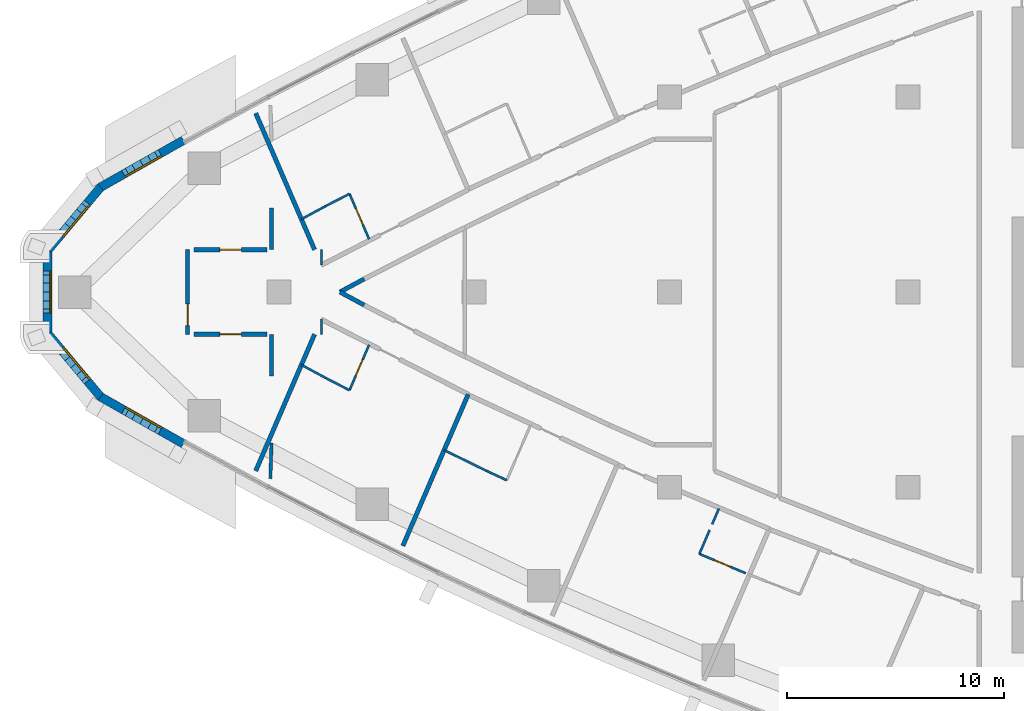
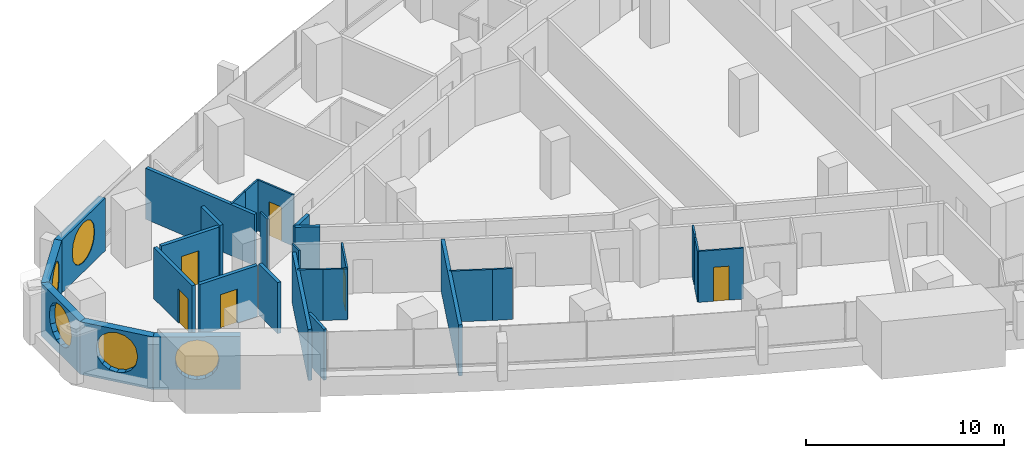
# One storey, part 8 of 17: 29 walls, 6 doors, 5 windows, 11 openings.
"""IFC4 building model written with IfcOpenShell, lengths in metres."""

from ifc_helpers import new_model, si_unit, direction, frame, frame_2d, origin, place, context, subcontext, project, spatial, polyline, rectangle, outline, extrude, material, layer, layer_set, type_object, element, fill, save


model = new_model("IFC4")

# Units and contexts
model_context = context("Model", 3, precision=1e-05, world=origin(), true_north=direction((0.0, 1.0)))
body_context = subcontext(model_context, "Body", "Model", "MODEL_VIEW")
ifc_project = project(units=[si_unit("LENGTHUNIT", "METRE"), si_unit("AREAUNIT", "SQUARE_METRE"), si_unit("VOLUMEUNIT", "CUBIC_METRE"), si_unit("PLANEANGLEUNIT", "RADIAN"), si_unit("MASSUNIT", "GRAM", prefix="KILO")], contexts=[model_context])

# Site, building, storey
site_placement = place(None, origin())
site = spatial("IfcSite", under=ifc_project, at=site_placement, CompositionType="ELEMENT")
building_placement = place(site_placement, origin())
building = spatial("IfcBuilding", under=site, at=building_placement, Name="Ostrand Prow Hotel Tower", CompositionType="ELEMENT")
storey_placement = place(building_placement, frame((0.0, 0.0, 162.14990234375)))
storey = spatial("IfcBuildingStorey", under=building, at=storey_placement, Name="L40", CompositionType="ELEMENT", Elevation=162.14990234375)

# Walls
ifc_material_1 = material(Name="Plasterboard partition")
ifc_layer_1 = layer(ifc_material_1, 0.10009765625)
ifc_layer_set_1 = layer_set([ifc_layer_1], Name="Plasterboard partition")
wall_type_1 = type_object("IfcWallType", Name="Partition 100 bathroom wall", PredefinedType="PARTITIONING", material=ifc_layer_set_1)
wall_1_placement = place(storey_placement, frame((17.03564453125, 3.3583984375, 0.0), z_axis=(0.0, 0.0, 1.0), x_axis=(0.879823588489, 0.475300382009, 0.0)))
element("IfcWall", 1, at=wall_1_placement, inside=storey, type_object=wall_type_1, Name="BATHROOM WALL", PredefinedType="PARTITIONING", context=body_context, shape_type="SweptSolid", body=[
    extrude(rectangle(XDim=1.27294921875, YDim=0.10009765625, at=frame_2d((0.636474609375, 0.0))), origin(), (0.0, 0.0, 1.0), 3.150146484375),
])
wall_2_placement = place(storey_placement, frame((18.155517578125, 3.96337890625, 0.0), z_axis=(0.0, 0.0, 1.0), x_axis=(0.889106231322, 0.457700895154, 0.0)))
element("IfcWall", 2, at=wall_2_placement, inside=storey, type_object=wall_type_1, Name="BATHROOM WALL", PredefinedType="PARTITIONING", context=body_context, shape_type="SweptSolid", body=[
    extrude(rectangle(XDim=1.23486328125, YDim=0.10009765625, at=frame_2d((0.617431640625, 0.0))), origin(), (0.0, 0.0, 1.0), 3.150146484375),
])

# Wall, opening, door
wall_3_placement = place(storey_placement, frame((19.253662109375, 4.528564453125, 0.0), z_axis=(0.0, 0.0, 1.0), x_axis=(0.395958457437, -0.9182684248, 0.0)))
wall_3 = element("IfcWall", 3, at=wall_3_placement, inside=storey, type_object=wall_type_1, Name="BATHROOM WALL", PredefinedType="PARTITIONING", context=body_context, shape_type="SweptSolid", body=[
    extrude(rectangle(XDim=2.281982421875, YDim=0.10009765625, at=frame_2d((1.14111328125, 0.0))), origin(), (0.0, 0.0, 1.0), 3.150146484375),
])
opening_1_placement = place(wall_3_placement, frame((0.75, 0.0, 0.0)))
opening_1 = element("IfcOpeningElement", 4, at=opening_1_placement, cuts=wall_3, Name="Opening D2", PredefinedType="OPENING", context=body_context, shape_type="SweptSolid", body=[
    extrude(rectangle(XDim=0.800048828125, YDim=2.10009765625, at=frame_2d((0.39990234375, 1.050048828125))), frame((0.0, 0.06005859375, 0.0), z_axis=(0.0, -1.0, 0.0), x_axis=(1.0, 0.0, 0.0)), (0.0, 0.0, 1.0), 0.1201171875),
])
ifc_material_2 = material(Name="Timber door leaf", Category="wood")
door_type_1 = type_object("IfcDoorType", Name="Bathroom door 800", OperationType="SINGLE_SWING_LEFT", PredefinedType="DOOR", material=ifc_material_2)
door_1_placement = place(opening_1_placement, origin())
door_1 = element("IfcDoor", 5, at=door_1_placement, inside=storey, type_object=door_type_1, Name="DOOR", OperationType="SINGLE_SWING_LEFT", OverallHeight=2.10009765625, OverallWidth=0.800048828125, PredefinedType="DOOR", context=body_context, shape_type="SweptSolid", body=[
    extrude(rectangle(XDim=0.800048828125, YDim=2.10009765625, at=frame_2d((0.39990234375, 1.050048828125))), frame((0.0, 0.02490234375, 0.0), z_axis=(0.0, -1.0, 0.0), x_axis=(1.0, 0.0, 0.0)), (0.0, 0.0, 1.0), 0.050048828125),
])
fill(opening_1, door_1)

wall_4_placement = place(storey_placement, frame((20.1572265625, -2.43310546875, 0.0), z_axis=(0.0, 0.0, 1.0), x_axis=(-0.395958457437, -0.9182684248, 0.0)))
wall_4 = element("IfcWall", 6, at=wall_4_placement, inside=storey, type_object=wall_type_1, Name="BATHROOM WALL", PredefinedType="PARTITIONING", context=body_context, shape_type="SweptSolid", body=[
    extrude(rectangle(XDim=2.281982421875, YDim=0.10009765625, at=frame_2d((1.14111328125, 0.0))), origin(), (0.0, 0.0, 1.0), 3.150146484375),
])
opening_2_placement = place(wall_4_placement, frame((0.75, 0.0, 0.0)))
opening_2 = element("IfcOpeningElement", 7, at=opening_2_placement, cuts=wall_4, Name="Opening D2", PredefinedType="OPENING", context=body_context, shape_type="SweptSolid", body=[
    extrude(rectangle(XDim=0.800048828125, YDim=2.10009765625, at=frame_2d((0.39990234375, 1.050048828125))), frame((0.0, 0.06005859375, 0.0), z_axis=(0.0, -1.0, 0.0), x_axis=(1.0, 0.0, 0.0)), (0.0, 0.0, 1.0), 0.1201171875),
])
door_2_placement = place(opening_2_placement, origin())
door_2 = element("IfcDoor", 8, at=door_2_placement, inside=storey, type_object=door_type_1, Name="DOOR", OperationType="SINGLE_SWING_LEFT", OverallHeight=2.10009765625, OverallWidth=0.800048828125, PredefinedType="DOOR", context=body_context, shape_type="SweptSolid", body=[
    extrude(rectangle(XDim=0.800048828125, YDim=2.10009765625, at=frame_2d((0.39990234375, 1.050048828125))), frame((0.0, 0.02490234375, 0.0), z_axis=(0.0, -1.0, 0.0), x_axis=(1.0, 0.0, 0.0)), (0.0, 0.0, 1.0), 0.050048828125),
])
fill(opening_2, door_2)

# Walls
wall_5_placement = place(storey_placement, frame((19.25341796875, -4.528564453125, 0.0), z_axis=(0.0, 0.0, 1.0), x_axis=(-0.889106231322, 0.457700895154, 0.0)))
element("IfcWall", 9, at=wall_5_placement, inside=storey, type_object=wall_type_1, Name="BATHROOM WALL", PredefinedType="PARTITIONING", context=body_context, shape_type="SweptSolid", body=[
    extrude(rectangle(XDim=1.23486328125, YDim=0.10009765625, at=frame_2d((0.617431640625, 0.0))), origin(), (0.0, 0.0, 1.0), 3.150146484375),
])
wall_6_placement = place(storey_placement, frame((18.155517578125, -3.96337890625, 0.0), z_axis=(0.0, 0.0, 1.0), x_axis=(-0.879823588489, 0.475300382009, 0.0)))
element("IfcWall", 10, at=wall_6_placement, inside=storey, type_object=wall_type_1, Name="BATHROOM WALL", PredefinedType="PARTITIONING", context=body_context, shape_type="SweptSolid", body=[
    extrude(rectangle(XDim=1.27294921875, YDim=0.10009765625, at=frame_2d((0.636474609375, 0.0))), origin(), (0.0, 0.0, 1.0), 3.150146484375),
])
wall_7_placement = place(storey_placement, frame((26.502685546875, -8.6787109375, 0.0), z_axis=(0.0, 0.0, 1.0), x_axis=(-0.906901476145, 0.421342749512, 0.0)))
element("IfcWall", 11, at=wall_7_placement, inside=storey, type_object=wall_type_1, Name="BATHROOM WALL", PredefinedType="PARTITIONING", context=body_context, shape_type="SweptSolid", body=[
    extrude(rectangle(XDim=1.022705078125, YDim=0.10009765625, at=frame_2d((0.51123046875, 0.0))), origin(), (0.0, 0.0, 1.0), 3.150146484375),
])
wall_8_placement = place(storey_placement, frame((25.5751953125, -8.247802734375, 0.0), z_axis=(0.0, 0.0, 1.0), x_axis=(-0.898158387811, 0.439672048696, 0.0)))
element("IfcWall", 12, at=wall_8_placement, inside=storey, type_object=wall_type_1, Name="BATHROOM WALL", PredefinedType="PARTITIONING", context=body_context, shape_type="SweptSolid", body=[
    extrude(rectangle(XDim=2.179931640625, YDim=0.10009765625, at=frame_2d((1.08984375, 0.0))), origin(), (0.0, 0.0, 1.0), 3.150146484375),
])
wall_9_placement = place(storey_placement, frame((35.384033203125, -12.07421875, 0.0), z_axis=(0.0, 0.0, 1.0), x_axis=(0.396057430794, 0.918225741043, 0.0)))
element("IfcWall", 13, at=wall_9_placement, inside=storey, type_object=wall_type_1, Name="BATHROOM WALL", PredefinedType="PARTITIONING", context=body_context, shape_type="SweptSolid", body=[
    extrude(rectangle(XDim=1.1982421875, YDim=0.10009765625, at=frame_2d((0.59912109375, 0.0))), origin(), (0.0, 0.0, 1.0), 3.150146484375),
])
wall_10_placement = place(storey_placement, frame((35.974853515625, -10.70458984375, 0.0), z_axis=(0.0, 0.0, 1.0), x_axis=(0.396019167007, 0.918242244379, 0.0)))
element("IfcWall", 14, at=wall_10_placement, inside=storey, type_object=wall_type_1, Name="BATHROOM WALL", PredefinedType="PARTITIONING", context=body_context, shape_type="SweptSolid", body=[
    extrude(rectangle(XDim=0.785400390625, YDim=0.10009765625, at=frame_2d((0.392578125, 0.0))), origin(), (0.0, 0.0, 1.0), 3.150146484375),
])

# Wall, opening, door
wall_11_placement = place(storey_placement, frame((37.51611328125, -12.962890625, 0.0), z_axis=(0.0, 0.0, 1.0), x_axis=(-0.923014363649, 0.384765492863, 0.0)))
wall_11 = element("IfcWall", 15, at=wall_11_placement, inside=storey, type_object=wall_type_1, Name="BATHROOM WALL", PredefinedType="PARTITIONING", context=body_context, shape_type="SweptSolid", body=[
    extrude(rectangle(XDim=2.3095703125, YDim=0.10009765625, at=frame_2d((1.15478515625, 0.0))), origin(), (0.0, 0.0, 1.0), 3.150146484375),
])
opening_3_placement = place(wall_11_placement, frame((0.75, 0.0, 0.0)))
opening_3 = element("IfcOpeningElement", 16, at=opening_3_placement, cuts=wall_11, Name="Opening D2", PredefinedType="OPENING", context=body_context, shape_type="SweptSolid", body=[
    extrude(rectangle(XDim=0.800048828125, YDim=2.10009765625, at=frame_2d((0.39990234375, 1.050048828125))), frame((0.0, 0.06005859375, 0.0), z_axis=(0.0, -1.0, 0.0), x_axis=(1.0, 0.0, 0.0)), (0.0, 0.0, 1.0), 0.1201171875),
])
door_3_placement = place(opening_3_placement, origin())
door_3 = element("IfcDoor", 17, at=door_3_placement, inside=storey, type_object=door_type_1, Name="DOOR", OperationType="SINGLE_SWING_LEFT", OverallHeight=2.10009765625, OverallWidth=0.800048828125, PredefinedType="DOOR", context=body_context, shape_type="SweptSolid", body=[
    extrude(rectangle(XDim=0.800048828125, YDim=2.10009765625, at=frame_2d((0.39990234375, 1.050048828125))), frame((0.0, 0.02490234375, 0.0), z_axis=(0.0, -1.0, 0.0), x_axis=(1.0, 0.0, 0.0)), (0.0, 0.0, 1.0), 0.050048828125),
])
fill(opening_3, door_3)

# Walls
for number, where, z_axis, x_axis, name in (
    (18, (17.959716796875, 1.248779296875, 0.0), (0.0, 0.0, 1.0), (-0.007291472831, 0.999973416859, 0.0), "BATHROOM WALL"),
    (19, (17.95458984375, -1.951904296875, 0.0), (0.0, 0.0, 1.0), (0.007291472831, 0.999973416859, 0.0), "BATHROOM WALL"),
):
    element("IfcWall", number, at=place(storey_placement, frame(where, z_axis=z_axis, x_axis=x_axis)), inside=storey, type_object=wall_type_1, Name=name, PredefinedType="PARTITIONING", context=body_context, shape_type="SweptSolid", body=[
        extrude(rectangle(XDim=0.703125, YDim=0.10009765625, at=frame_2d((0.3515625, 0.0))), origin(), (0.0, 0.0, 1.0), 3.150146484375),
    ])
ifc_material_3 = material(Name="Plasterboard partition")
ifc_layer_2 = layer(ifc_material_3, 0.14990234375)
ifc_layer_set_2 = layer_set([ifc_layer_2], Name="Plasterboard partition")
wall_type_2 = type_object("IfcWallType", Name="Partition 150 room partition", PredefinedType="PARTITIONING", material=ifc_layer_set_2)
wall_12_placement = place(storey_placement, frame((15.65869140625, -6.955078125, 0.0), z_axis=(0.0, 0.0, 1.0), x_axis=(-0.033196927484, -0.999448830109, 0.0)))
element("IfcWall", 20, at=wall_12_placement, inside=storey, type_object=wall_type_2, Name="ROOM PARTITION", PredefinedType="PARTITIONING", context=body_context, shape_type="SweptSolid", body=[
    extrude(rectangle(XDim=1.65478515625, YDim=0.14990234375, at=frame_2d((0.827392578125, 0.0))), origin(), (0.0, 0.0, 1.0), 3.150146484375),
])

# Wall, opening, door
ifc_material_4 = material(Name="Plasterboard partition")
ifc_layer_3 = layer(ifc_material_4, 0.199951171875)
ifc_layer_set_3 = layer_set([ifc_layer_3], Name="Plasterboard partition")
wall_type_3 = type_object("IfcWallType", Name="Partition 200 corridor wall", PredefinedType="PARTITIONING", material=ifc_layer_set_3)
wall_13_placement = place(storey_placement, frame((12.086669921875, 1.949951171875, 0.0), z_axis=(0.0, 0.0, 1.0), x_axis=(1.0, 0.0, 0.0)))
wall_13 = element("IfcWall", 21, at=wall_13_placement, inside=storey, type_object=wall_type_3, Name="CORRIDOR WALL", PredefinedType="PARTITIONING", context=body_context, shape_type="SweptSolid", body=[
    extrude(rectangle(XDim=3.3720703125, YDim=0.199951171875, at=frame_2d((1.68603515625, 0.0))), origin(), (0.0, 0.0, 1.0), 3.150146484375),
])
opening_4_placement = place(wall_13_placement, frame((1.18603515625, 0.0, 0.0)))
opening_4 = element("IfcOpeningElement", 22, at=opening_4_placement, cuts=wall_13, Name="Opening D1", PredefinedType="OPENING", context=body_context, shape_type="SweptSolid", body=[
    extrude(rectangle(XDim=1.0, YDim=2.10009765625, at=frame_2d((0.5, 1.050048828125))), frame((0.0, 0.10986328125, 0.0), z_axis=(0.0, -1.0, 0.0), x_axis=(1.0, 0.0, 0.0)), (0.0, 0.0, 1.0), 0.219970703125),
])
ifc_material_5 = material(Name="Timber door leaf", Category="wood")
door_type_2 = type_object("IfcDoorType", Name="Guest room door 1000", OperationType="SINGLE_SWING_LEFT", PredefinedType="DOOR", material=ifc_material_5)
door_4_placement = place(opening_4_placement, origin())
door_4 = element("IfcDoor", 23, at=door_4_placement, inside=storey, type_object=door_type_2, Name="DOOR", OperationType="SINGLE_SWING_LEFT", OverallHeight=2.10009765625, OverallWidth=1.0, PredefinedType="DOOR", context=body_context, shape_type="SweptSolid", body=[
    extrude(rectangle(XDim=1.0, YDim=2.10009765625, at=frame_2d((0.5, 1.050048828125))), frame((0.0, 0.02490234375, 0.0), z_axis=(0.0, -1.0, 0.0), x_axis=(1.0, 0.0, 0.0)), (0.0, 0.0, 1.0), 0.050048828125),
])
fill(opening_4, door_4)

wall_14_placement = place(storey_placement, frame((12.086669921875, -1.949951171875, 0.0), z_axis=(0.0, 0.0, 1.0), x_axis=(1.0, 0.0, 0.0)))
wall_14 = element("IfcWall", 24, at=wall_14_placement, inside=storey, type_object=wall_type_3, Name="CORRIDOR WALL", PredefinedType="PARTITIONING", context=body_context, shape_type="SweptSolid", body=[
    extrude(rectangle(XDim=3.3720703125, YDim=0.199951171875, at=frame_2d((1.68603515625, 0.0))), origin(), (0.0, 0.0, 1.0), 3.150146484375),
])
opening_5_placement = place(wall_14_placement, frame((1.18603515625, 0.0, 0.0)))
opening_5 = element("IfcOpeningElement", 25, at=opening_5_placement, cuts=wall_14, Name="Opening D1R", PredefinedType="OPENING", context=body_context, shape_type="SweptSolid", body=[
    extrude(rectangle(XDim=1.0, YDim=2.10009765625, at=frame_2d((0.5, 1.050048828125))), frame((0.0, 0.10986328125, 0.0), z_axis=(0.0, -1.0, 0.0), x_axis=(1.0, 0.0, 0.0)), (0.0, 0.0, 1.0), 0.219970703125),
])
ifc_material_6 = material(Name="Timber door leaf", Category="wood")
door_type_3 = type_object("IfcDoorType", Name="Guest room door 1000 right", OperationType="SINGLE_SWING_RIGHT", PredefinedType="DOOR", material=ifc_material_6)
door_5_placement = place(opening_5_placement, origin())
door_5 = element("IfcDoor", 26, at=door_5_placement, inside=storey, type_object=door_type_3, Name="DOOR", OperationType="SINGLE_SWING_RIGHT", OverallHeight=2.10009765625, OverallWidth=1.0, PredefinedType="DOOR", context=body_context, shape_type="SweptSolid", body=[
    extrude(rectangle(XDim=1.0, YDim=2.10009765625, at=frame_2d((0.5, 1.050048828125))), frame((0.0, 0.02490234375, 0.0), z_axis=(0.0, -1.0, 0.0), x_axis=(1.0, 0.0, 0.0)), (0.0, 0.0, 1.0), 0.050048828125),
])
fill(opening_5, door_5)

# Walls
for number, where, z_axis, x_axis, name in (
    (27, (19.928466796875, -0.60205078125, 0.0), (0.0, 0.0, 1.0), (-0.879832865766, 0.475283208538, 0.0), "CORRIDOR WALL"),
    (28, (18.81396484375, 0.0, 0.0), (0.0, 0.0, 1.0), (0.879832865766, 0.475283208538, 0.0), "CORRIDOR WALL"),
):
    element("IfcWall", number, at=place(storey_placement, frame(where, z_axis=z_axis, x_axis=x_axis)), inside=storey, type_object=wall_type_3, Name=name, PredefinedType="PARTITIONING", context=body_context, shape_type="SweptSolid", body=[
        extrude(rectangle(XDim=1.2666015625, YDim=0.199951171875, at=frame_2d((0.63330078125, 0.0))), origin(), (0.0, 0.0, 1.0), 3.150146484375),
    ])
wall_15_placement = place(storey_placement, frame((15.65869140625, 3.869384765625, 0.0), z_axis=(0.0, 0.0, 1.0), x_axis=(0.0, -1.0, 0.0)))
element("IfcWall", 29, at=wall_15_placement, inside=storey, type_object=wall_type_3, Name="CORRIDOR WALL", PredefinedType="PARTITIONING", context=body_context, shape_type="SweptSolid", body=[
    extrude(rectangle(XDim=1.914306640625, YDim=0.199951171875, at=frame_2d((0.95703125, 0.0))), origin(), (0.0, 0.0, 1.0), 3.150146484375),
])
wall_16_placement = place(storey_placement, frame((15.65869140625, -1.955078125, 0.0), z_axis=(0.0, 0.0, 1.0), x_axis=(0.0, -1.0, 0.0)))
element("IfcWall", 30, at=wall_16_placement, inside=storey, type_object=wall_type_3, Name="CORRIDOR WALL", PredefinedType="PARTITIONING", context=body_context, shape_type="SweptSolid", body=[
    extrude(rectangle(XDim=1.921630859375, YDim=0.199951171875, at=frame_2d((0.9609375, 0.0))), origin(), (0.0, 0.0, 1.0), 3.150146484375),
])
ifc_material_7 = material(Name="Plasterboard partition")
ifc_layer_4 = layer(ifc_material_7, 0.199951171875)
ifc_layer_set_4 = layer_set([ifc_layer_4], Name="Plasterboard partition")
wall_type_4 = type_object("IfcWallType", Name="Partition 200 key partition", PredefinedType="PARTITIONING", material=ifc_layer_set_4)
for number, where, z_axis, x_axis, name in (
    (31, (17.64306640625, 1.949951171875, 0.0), (0.0, 0.0, 1.0), (-0.395994543879, 0.918252863441, 0.0), "KEY PARTITION"),
    (32, (14.9287109375, -8.244140625, 0.0), (0.0, 0.0, 1.0), (0.395994543879, 0.918252863441, 0.0), "KEY PARTITION"),
):
    element("IfcWall", number, at=place(storey_placement, frame(where, z_axis=z_axis, x_axis=x_axis)), inside=storey, type_object=wall_type_4, Name=name, PredefinedType="PARTITIONING", context=body_context, shape_type="SweptSolid", body=[
        extrude(rectangle(XDim=6.8544921875, YDim=0.199951171875, at=frame_2d((3.42724609375, 0.0))), origin(), (0.0, 0.0, 1.0), 3.150146484375),
    ])
wall_17_placement = place(storey_placement, frame((21.714111328125, -11.701904296875, 0.0), z_axis=(0.0, 0.0, 1.0), x_axis=(0.395982367396, 0.918258114427, 0.0)))
element("IfcWall", 33, at=wall_17_placement, inside=storey, type_object=wall_type_4, Name="KEY PARTITION", PredefinedType="PARTITIONING", context=body_context, shape_type="SweptSolid", body=[
    extrude(rectangle(XDim=7.60888671875, YDim=0.199951171875, at=frame_2d((3.804443359375, 0.0))), origin(), (0.0, 0.0, 1.0), 3.150146484375),
])

# Wall, opening, door
ifc_material_8 = material(Name="Plasterboard partition")
ifc_layer_5 = layer(ifc_material_8, 0.199951171875)
ifc_layer_set_5 = layer_set([ifc_layer_5], Name="Plasterboard partition")
wall_type_5 = type_object("IfcWallType", Name="Partition 200 lounge wall", PredefinedType="PARTITIONING", material=ifc_layer_set_5)
wall_18_placement = place(storey_placement, frame((11.78662109375, -1.949951171875, 0.0), z_axis=(0.0, 0.0, 1.0), x_axis=(0.0, 1.0, 0.0)))
wall_18 = element("IfcWall", 34, at=wall_18_placement, inside=storey, type_object=wall_type_5, Name="LOUNGE WALL", PredefinedType="PARTITIONING", context=body_context, shape_type="SweptSolid", body=[
    extrude(rectangle(XDim=3.89990234375, YDim=0.199951171875, at=frame_2d((1.949951171875, 0.0))), origin(), (0.0, 0.0, 1.0), 3.150146484375),
])
opening_6_placement = place(wall_18_placement, frame((0.39990234375, 0.0, 0.0)))
opening_6 = element("IfcOpeningElement", 35, at=opening_6_placement, cuts=wall_18, Name="Opening D1", PredefinedType="OPENING", context=body_context, shape_type="SweptSolid", body=[
    extrude(rectangle(XDim=1.0, YDim=2.10009765625, at=frame_2d((0.5, 1.050048828125))), frame((0.0, 0.10986328125, 0.0), z_axis=(0.0, -1.0, 0.0), x_axis=(1.0, 0.0, 0.0)), (0.0, 0.0, 1.0), 0.219970703125),
])
door_6_placement = place(opening_6_placement, origin())
door_6 = element("IfcDoor", 36, at=door_6_placement, inside=storey, type_object=door_type_2, Name="DOOR", OperationType="SINGLE_SWING_LEFT", OverallHeight=2.10009765625, OverallWidth=1.0, PredefinedType="DOOR", context=body_context, shape_type="SweptSolid", body=[
    extrude(rectangle(XDim=1.0, YDim=2.10009765625, at=frame_2d((0.5, 1.050048828125))), frame((0.0, 0.02490234375, 0.0), z_axis=(0.0, -1.0, 0.0), x_axis=(1.0, 0.0, 0.0)), (0.0, 0.0, 1.0), 0.050048828125),
])
fill(opening_6, door_6)

# Wall, opening, window
ifc_material_9 = material(Name="Precast concrete C40/50", Category="concrete")
ifc_layer_6 = layer(ifc_material_9, 0.39990234375)
ifc_layer_set_6 = layer_set([ifc_layer_6], Name="Precast concrete C40/50")
wall_type_6 = type_object("IfcWallType", Name="Stone-faced precast wall 400 mm", PredefinedType="NOTDEFINED", material=ifc_layer_set_6)
wall_19_placement = place(storey_placement, frame((11.594482421875, 6.996826171875, 0.0), z_axis=(0.0, 0.0, 1.0), x_axis=(-0.870045255208, -0.492971859125, 0.0)))
wall_19 = element("IfcWall", 37, at=wall_19_placement, inside=storey, type_object=wall_type_6, Name="Stone-faced wall prow 1", PredefinedType="NOTDEFINED", context=body_context, shape_type="SweptSolid", body=[
    extrude(outline(polyline([(0.0, -0.199951171875), (4.424072265625, -0.199951171875), (4.351806640625, 0.199951171875), (0.0, 0.199951171875), (0.0, -0.199951171875)])), origin(), (0.0, 0.0, 1.0), 3.25),
])
opening_7_placement = place(wall_19_placement, frame((1.093994140625, 0.0, 0.60009765625)))
opening_7 = element("IfcOpeningElement", 38, at=opening_7_placement, cuts=wall_19, Name="Opening WP1", PredefinedType="OPENING", context=body_context, shape_type="SweptSolid", body=[
    extrude(outline(polyline([(0.0, 1.35009765625), (0.083740234375, 1.77099609375), (0.322265625, 2.127685546875), (0.678955078125, 2.3662109375), (1.10009765625, 2.449951171875), (1.52099609375, 2.3662109375), (1.877685546875, 2.127685546875), (2.1162109375, 1.77099609375), (2.199951171875, 1.35009765625), (2.199951171875, 1.10009765625), (2.1162109375, 0.678955078125), (1.877685546875, 0.322265625), (1.52099609375, 0.083740234375), (1.10009765625, 0.0), (0.678955078125, 0.083740234375), (0.322265625, 0.322265625), (0.083740234375, 0.678955078125), (0.0, 1.099853515625), (0.0, 1.35009765625)])), frame((0.0, 0.2099609375, 0.0), z_axis=(0.0, -1.0, 0.0), x_axis=(1.0, 0.0, 0.0)), (0.0, 0.0, 1.0), 0.419921875),
])
ifc_material_10 = material(Name="Insulated glass in bronze frame", Category="glass")
window_type = type_object("IfcWindowType", Name="Round-ended prow window 2200x2450", PartitioningType="SINGLE_PANEL", PredefinedType="WINDOW", material=ifc_material_10)
window_1_placement = place(opening_7_placement, origin())
window_1 = element("IfcWindow", 39, at=window_1_placement, inside=storey, type_object=window_type, Name="Window prow 1.1", OverallHeight=2.449951171875, OverallWidth=2.199951171875, PartitioningType="SINGLE_PANEL", PredefinedType="WINDOW", context=body_context, shape_type="SweptSolid", body=[
    extrude(outline(polyline([(0.0, 1.35009765625), (0.083740234375, 1.77099609375), (0.322265625, 2.127685546875), (0.678955078125, 2.3662109375), (1.10009765625, 2.449951171875), (1.52099609375, 2.3662109375), (1.877685546875, 2.127685546875), (2.1162109375, 1.77099609375), (2.199951171875, 1.35009765625), (2.199951171875, 1.10009765625), (2.1162109375, 0.678955078125), (1.877685546875, 0.322265625), (1.52099609375, 0.083740234375), (1.10009765625, 0.0), (0.678955078125, 0.083740234375), (0.322265625, 0.322265625), (0.083740234375, 0.678955078125), (0.0, 1.099853515625), (0.0, 1.35009765625)])), frame((0.0, 0.169921875, 0.0), z_axis=(0.0, -1.0, 0.0), x_axis=(1.0, 0.0, 0.0)), (0.0, 0.0, 1.0), 0.06005859375),
])
fill(opening_7, window_1)

wall_20_placement = place(storey_placement, frame((7.77685546875, 4.833740234375, 0.0), z_axis=(0.0, 0.0, 1.0), x_axis=(-0.641787918235, -0.766882173484, 0.0)))
wall_20 = element("IfcWall", 40, at=wall_20_placement, inside=storey, type_object=wall_type_6, Name="Stone-faced wall prow 2", PredefinedType="NOTDEFINED", context=body_context, shape_type="SweptSolid", body=[
    extrude(outline(polyline([(-0.0361328125, -0.199951171875), (3.887939453125, -0.199951171875), (3.742919921875, 0.199951171875), (0.0361328125, 0.199951171875), (-0.0361328125, -0.199951171875)])), origin(), (0.0, 0.0, 1.0), 3.25),
])
opening_8_placement = place(wall_20_placement, frame((0.8076171875, 0.0, 0.60009765625)))
opening_8 = element("IfcOpeningElement", 41, at=opening_8_placement, cuts=wall_20, Name="Opening WP1", PredefinedType="OPENING", context=body_context, shape_type="SweptSolid", body=[
    extrude(outline(polyline([(0.0, 1.35009765625), (0.083740234375, 1.77099609375), (0.322265625, 2.127685546875), (0.678955078125, 2.3662109375), (1.10009765625, 2.449951171875), (1.52099609375, 2.3662109375), (1.877685546875, 2.127685546875), (2.1162109375, 1.77099609375), (2.199951171875, 1.35009765625), (2.199951171875, 1.10009765625), (2.1162109375, 0.678955078125), (1.877685546875, 0.322265625), (1.52099609375, 0.083740234375), (1.10009765625, 0.0), (0.678955078125, 0.083740234375), (0.322265625, 0.322265625), (0.083740234375, 0.678955078125), (0.0, 1.099853515625), (0.0, 1.35009765625)])), frame((0.0, 0.2099609375, 0.0), z_axis=(0.0, -1.0, 0.0), x_axis=(1.0, 0.0, 0.0)), (0.0, 0.0, 1.0), 0.419921875),
])
window_2_placement = place(opening_8_placement, origin())
window_2 = element("IfcWindow", 42, at=window_2_placement, inside=storey, type_object=window_type, Name="Window prow 2.1", OverallHeight=2.449951171875, OverallWidth=2.199951171875, PartitioningType="SINGLE_PANEL", PredefinedType="WINDOW", context=body_context, shape_type="SweptSolid", body=[
    extrude(outline(polyline([(0.0, 1.35009765625), (0.083740234375, 1.77099609375), (0.322265625, 2.127685546875), (0.678955078125, 2.3662109375), (1.10009765625, 2.449951171875), (1.52099609375, 2.3662109375), (1.877685546875, 2.127685546875), (2.1162109375, 1.77099609375), (2.199951171875, 1.35009765625), (2.199951171875, 1.10009765625), (2.1162109375, 0.678955078125), (1.877685546875, 0.322265625), (1.52099609375, 0.083740234375), (1.10009765625, 0.0), (0.678955078125, 0.083740234375), (0.322265625, 0.322265625), (0.083740234375, 0.678955078125), (0.0, 1.099853515625), (0.0, 1.35009765625)])), frame((0.0, 0.169921875, 0.0), z_axis=(0.0, -1.0, 0.0), x_axis=(1.0, 0.0, 0.0)), (0.0, 0.0, 1.0), 0.06005859375),
])
fill(opening_8, window_2)

wall_21_placement = place(storey_placement, frame((5.328125, 1.90771484375, 0.0), z_axis=(0.0, 0.0, 1.0), x_axis=(0.0, -1.0, 0.0)))
wall_21 = element("IfcWall", 43, at=wall_21_placement, inside=storey, type_object=wall_type_6, Name="Stone-faced wall prow 3", PredefinedType="NOTDEFINED", context=body_context, shape_type="SweptSolid", body=[
    extrude(outline(polyline([(-0.072509765625, -0.199951171875), (3.887939453125, -0.199951171875), (3.742919921875, 0.199951171875), (0.072509765625, 0.199951171875), (-0.072509765625, -0.199951171875)])), origin(), (0.0, 0.0, 1.0), 3.25),
])
opening_9_placement = place(wall_21_placement, frame((0.8076171875, 0.0, 0.60009765625)))
opening_9 = element("IfcOpeningElement", 44, at=opening_9_placement, cuts=wall_21, Name="Opening WP1", PredefinedType="OPENING", context=body_context, shape_type="SweptSolid", body=[
    extrude(outline(polyline([(0.0, 1.35009765625), (0.083740234375, 1.77099609375), (0.322265625, 2.127685546875), (0.678955078125, 2.3662109375), (1.10009765625, 2.449951171875), (1.52099609375, 2.3662109375), (1.877685546875, 2.127685546875), (2.1162109375, 1.77099609375), (2.199951171875, 1.35009765625), (2.199951171875, 1.10009765625), (2.1162109375, 0.678955078125), (1.877685546875, 0.322265625), (1.52099609375, 0.083740234375), (1.10009765625, 0.0), (0.678955078125, 0.083740234375), (0.322265625, 0.322265625), (0.083740234375, 0.678955078125), (0.0, 1.099853515625), (0.0, 1.35009765625)])), frame((0.0, 0.2099609375, 0.0), z_axis=(0.0, -1.0, 0.0), x_axis=(1.0, 0.0, 0.0)), (0.0, 0.0, 1.0), 0.419921875),
])
window_3_placement = place(opening_9_placement, origin())
window_3 = element("IfcWindow", 45, at=window_3_placement, inside=storey, type_object=window_type, Name="Window prow 3.1", OverallHeight=2.449951171875, OverallWidth=2.199951171875, PartitioningType="SINGLE_PANEL", PredefinedType="WINDOW", context=body_context, shape_type="SweptSolid", body=[
    extrude(outline(polyline([(0.0, 1.35009765625), (0.083740234375, 1.77099609375), (0.322265625, 2.127685546875), (0.678955078125, 2.3662109375), (1.10009765625, 2.449951171875), (1.52099609375, 2.3662109375), (1.877685546875, 2.127685546875), (2.1162109375, 1.77099609375), (2.199951171875, 1.35009765625), (2.199951171875, 1.10009765625), (2.1162109375, 0.678955078125), (1.877685546875, 0.322265625), (1.52099609375, 0.083740234375), (1.10009765625, 0.0), (0.678955078125, 0.083740234375), (0.322265625, 0.322265625), (0.083740234375, 0.678955078125), (0.0, 1.099853515625), (0.0, 1.35009765625)])), frame((0.0, 0.169921875, 0.0), z_axis=(0.0, -1.0, 0.0), x_axis=(1.0, 0.0, 0.0)), (0.0, 0.0, 1.0), 0.06005859375),
])
fill(opening_9, window_3)

wall_22_placement = place(storey_placement, frame((5.328125, -1.90771484375, 0.0), z_axis=(0.0, 0.0, 1.0), x_axis=(0.641787918235, -0.766882173484, 0.0)))
wall_22 = element("IfcWall", 46, at=wall_22_placement, inside=storey, type_object=wall_type_6, Name="Stone-faced wall prow 4", PredefinedType="NOTDEFINED", context=body_context, shape_type="SweptSolid", body=[
    extrude(outline(polyline([(-0.072509765625, -0.199951171875), (3.8515625, -0.199951171875), (3.779296875, 0.199951171875), (0.072509765625, 0.199951171875), (-0.072509765625, -0.199951171875)])), origin(), (0.0, 0.0, 1.0), 3.25),
])
opening_10_placement = place(wall_22_placement, frame((0.8076171875, 0.0, 0.60009765625)))
opening_10 = element("IfcOpeningElement", 47, at=opening_10_placement, cuts=wall_22, Name="Opening WP1", PredefinedType="OPENING", context=body_context, shape_type="SweptSolid", body=[
    extrude(outline(polyline([(0.0, 1.35009765625), (0.083740234375, 1.77099609375), (0.322265625, 2.127685546875), (0.678955078125, 2.3662109375), (1.10009765625, 2.449951171875), (1.52099609375, 2.3662109375), (1.877685546875, 2.127685546875), (2.1162109375, 1.77099609375), (2.199951171875, 1.35009765625), (2.199951171875, 1.10009765625), (2.1162109375, 0.678955078125), (1.877685546875, 0.322265625), (1.52099609375, 0.083740234375), (1.10009765625, 0.0), (0.678955078125, 0.083740234375), (0.322265625, 0.322265625), (0.083740234375, 0.678955078125), (0.0, 1.099853515625), (0.0, 1.35009765625)])), frame((0.0, 0.2099609375, 0.0), z_axis=(0.0, -1.0, 0.0), x_axis=(1.0, 0.0, 0.0)), (0.0, 0.0, 1.0), 0.419921875),
])
window_4_placement = place(opening_10_placement, origin())
window_4 = element("IfcWindow", 48, at=window_4_placement, inside=storey, type_object=window_type, Name="Window prow 4.1", OverallHeight=2.449951171875, OverallWidth=2.199951171875, PartitioningType="SINGLE_PANEL", PredefinedType="WINDOW", context=body_context, shape_type="SweptSolid", body=[
    extrude(outline(polyline([(0.0, 1.35009765625), (0.083740234375, 1.77099609375), (0.322265625, 2.127685546875), (0.678955078125, 2.3662109375), (1.10009765625, 2.449951171875), (1.52099609375, 2.3662109375), (1.877685546875, 2.127685546875), (2.1162109375, 1.77099609375), (2.199951171875, 1.35009765625), (2.199951171875, 1.10009765625), (2.1162109375, 0.678955078125), (1.877685546875, 0.322265625), (1.52099609375, 0.083740234375), (1.10009765625, 0.0), (0.678955078125, 0.083740234375), (0.322265625, 0.322265625), (0.083740234375, 0.678955078125), (0.0, 1.099853515625), (0.0, 1.35009765625)])), frame((0.0, 0.169921875, 0.0), z_axis=(0.0, -1.0, 0.0), x_axis=(1.0, 0.0, 0.0)), (0.0, 0.0, 1.0), 0.06005859375),
])
fill(opening_10, window_4)

wall_23_placement = place(storey_placement, frame((7.77685546875, -4.833740234375, 0.0), z_axis=(0.0, 0.0, 1.0), x_axis=(0.870045255208, -0.492971859125, 0.0)))
wall_23 = element("IfcWall", 49, at=wall_23_placement, inside=storey, type_object=wall_type_6, Name="Stone-faced wall prow 5", PredefinedType="NOTDEFINED", context=body_context, shape_type="SweptSolid", body=[
    extrude(outline(polyline([(-0.0361328125, -0.199951171875), (4.387939453125, -0.199951171875), (4.387939453125, 0.199951171875), (0.0361328125, 0.199951171875), (-0.0361328125, -0.199951171875)])), origin(), (0.0, 0.0, 1.0), 3.25),
])
opening_11_placement = place(wall_23_placement, frame((1.093994140625, 0.0, 0.60009765625)))
opening_11 = element("IfcOpeningElement", 50, at=opening_11_placement, cuts=wall_23, Name="Opening WP1", PredefinedType="OPENING", context=body_context, shape_type="SweptSolid", body=[
    extrude(outline(polyline([(0.0, 1.35009765625), (0.083740234375, 1.77099609375), (0.322265625, 2.127685546875), (0.678955078125, 2.3662109375), (1.10009765625, 2.449951171875), (1.52099609375, 2.3662109375), (1.877685546875, 2.127685546875), (2.1162109375, 1.77099609375), (2.199951171875, 1.35009765625), (2.199951171875, 1.10009765625), (2.1162109375, 0.678955078125), (1.877685546875, 0.322265625), (1.52099609375, 0.083740234375), (1.10009765625, 0.0), (0.678955078125, 0.083740234375), (0.322265625, 0.322265625), (0.083740234375, 0.678955078125), (0.0, 1.099853515625), (0.0, 1.35009765625)])), frame((0.0, 0.2099609375, 0.0), z_axis=(0.0, -1.0, 0.0), x_axis=(1.0, 0.0, 0.0)), (0.0, 0.0, 1.0), 0.419921875),
])
window_5_placement = place(opening_11_placement, origin())
window_5 = element("IfcWindow", 51, at=window_5_placement, inside=storey, type_object=window_type, Name="Window prow 5.1", OverallHeight=2.449951171875, OverallWidth=2.199951171875, PartitioningType="SINGLE_PANEL", PredefinedType="WINDOW", context=body_context, shape_type="SweptSolid", body=[
    extrude(outline(polyline([(0.0, 1.35009765625), (0.083740234375, 1.77099609375), (0.322265625, 2.127685546875), (0.678955078125, 2.3662109375), (1.10009765625, 2.449951171875), (1.52099609375, 2.3662109375), (1.877685546875, 2.127685546875), (2.1162109375, 1.77099609375), (2.199951171875, 1.35009765625), (2.199951171875, 1.10009765625), (2.1162109375, 0.678955078125), (1.877685546875, 0.322265625), (1.52099609375, 0.083740234375), (1.10009765625, 0.0), (0.678955078125, 0.083740234375), (0.322265625, 0.322265625), (0.083740234375, 0.678955078125), (0.0, 1.099853515625), (0.0, 1.35009765625)])), frame((0.0, 0.169921875, 0.0), z_axis=(0.0, -1.0, 0.0), x_axis=(1.0, 0.0, 0.0)), (0.0, 0.0, 1.0), 0.06005859375),
])
fill(opening_11, window_5)

save(model, "model.ifc")
